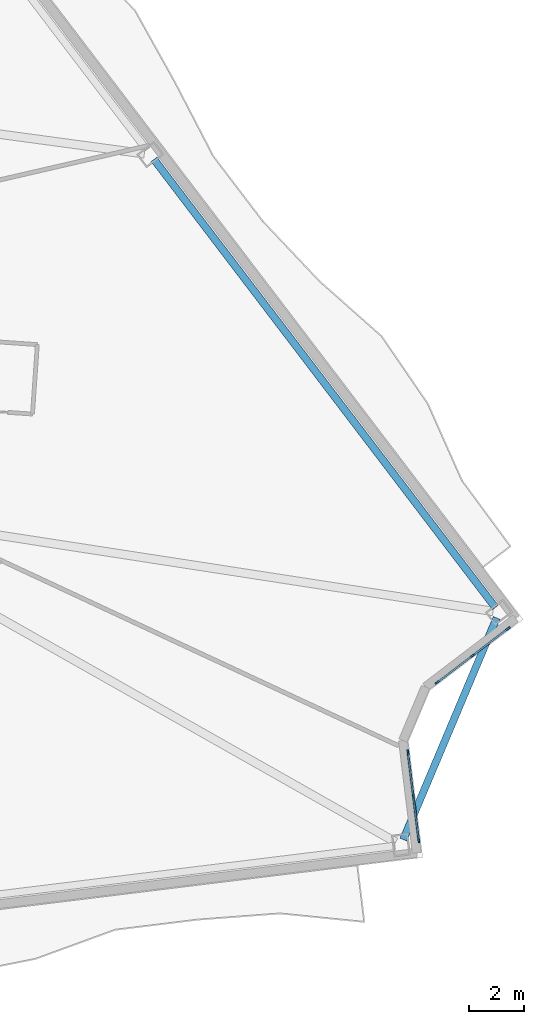
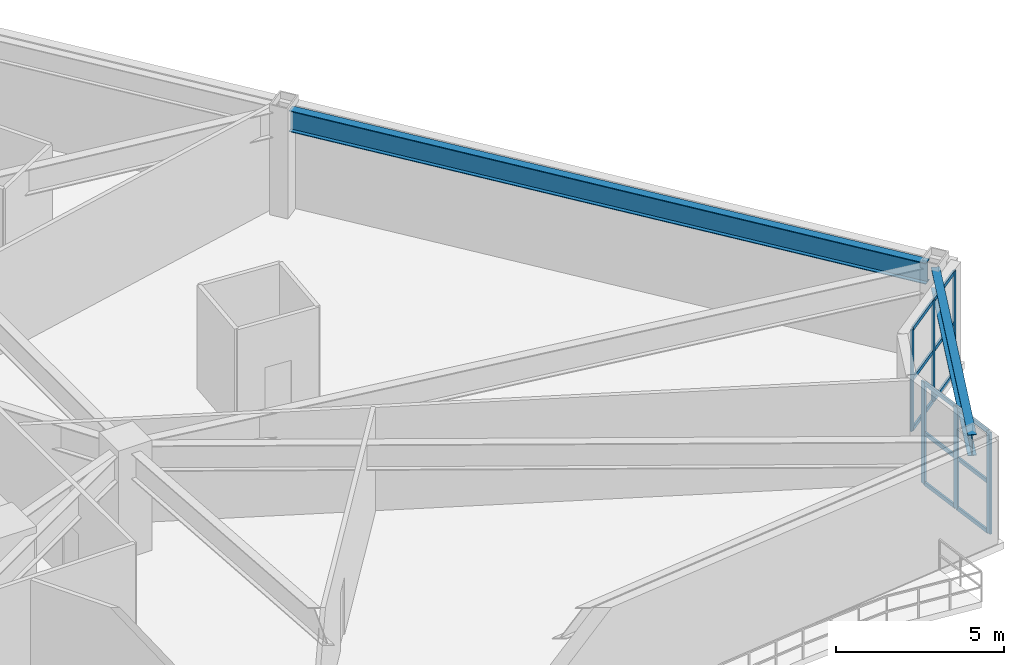
# One storey, part 4 of 17: 18 members, 2 beams, 2 elements without a shape of their own.
"""IFC4 building model written with IfcOpenShell, lengths in metres."""

from ifc_helpers import new_model, si_unit, direction, frame, origin, origin_2d, place, context, subcontext, project, spatial, rectangle, i_section, extrude, material, layer, layer_set, material_profile, profile_set, type_object, element, aggregate, save


model = new_model("IFC4")

# Units and contexts
model_context = context("Model", 3, precision=1e-05, world=origin(), true_north=direction((0.0, 1.0)))
body_context = subcontext(model_context, "Body", "Model", "MODEL_VIEW")
ifc_project = project(units=[si_unit("LENGTHUNIT", "METRE"), si_unit("AREAUNIT", "SQUARE_METRE"), si_unit("VOLUMEUNIT", "CUBIC_METRE"), si_unit("PLANEANGLEUNIT", "RADIAN"), si_unit("MASSUNIT", "GRAM", prefix="KILO")], contexts=[model_context])

# Site, building, storey
site_placement = place(None, origin())
site = spatial("IfcSite", under=ifc_project, at=site_placement, CompositionType="ELEMENT")
building_placement = place(site_placement, origin())
building = spatial("IfcBuilding", under=site, at=building_placement, Name="Apsidion Concourse Tower", CompositionType="ELEMENT")
storey_placement = place(building_placement, frame((0.0, 0.0, 75.0)))
storey = spatial("IfcBuildingStorey", under=building, at=storey_placement, Name="L16", CompositionType="ELEMENT", Elevation=75.0)

# Beams
ifc_material_1 = material(Name="Structural steel ASTM A992 Grade 50", Category="steel")
ifc_material_profile_1 = material_profile(ifc_material_1, i_section(OverallWidth=0.26806640625, OverallDepth=0.77001953125, WebThickness=0.015625, FlangeThickness=0.025390625, at=origin_2d()), Name="W30X132")
ifc_profile_set_1 = profile_set([ifc_material_profile_1], Name="Structural steel ASTM A992 Grade 50")
beam_type = type_object("IfcBeamType", Name="BM-SP-W30", PredefinedType="SPANDREL", material=ifc_profile_set_1)
beam_1_placement = place(storey_placement, frame((34.599609375, -19.4765625, 3.364990234375), z_axis=(0.388335552383, 0.921518040385, 0.0), x_axis=(-0.921518040385, 0.388335552383, 0.0)))
element("IfcBeam", 1, at=beam_1_placement, inside=storey, type_object=beam_type, Name="L16 Perimeter Spandrel Girder SP-08", PredefinedType="SPANDREL", context=body_context, shape_type="SweptSolid", body=[
    extrude(i_section(OverallWidth=0.26806640625, OverallDepth=0.77001953125, WebThickness=0.015625, FlangeThickness=0.025390625, at=origin_2d()), origin(), (0.0, 0.0, 1.0), 8.7763671875),
])
beam_2_placement = place(storey_placement, frame((37.959716796875, -11.01123046875, 3.364990234375), z_axis=(-0.605965911945, 0.795490611862, 0.0), x_axis=(-0.795490611862, -0.605965911945, 0.0)))
element("IfcBeam", 2, at=beam_2_placement, inside=storey, type_object=beam_type, Name="L16 Perimeter Spandrel Girder SP-09", PredefinedType="SPANDREL", context=body_context, shape_type="SweptSolid", body=[
    extrude(i_section(OverallWidth=0.26806640625, OverallDepth=0.77001953125, WebThickness=0.015625, FlangeThickness=0.025390625, at=origin_2d()), origin(), (0.0, 0.0, 1.0), 20.55419921875),
])

# Curtain wall, members
ifc_material_2 = material(Name="Insulated laminated low-E glass", Category="glass")
ifc_layer = layer(ifc_material_2, 0.219970703125)
ifc_layer_set = layer_set([ifc_layer], Name="Insulated laminated low-E glass")
curtain_wall_type = type_object("IfcCurtainWallType", Name="CW-SYS-04", PredefinedType="NOTDEFINED", material=ifc_layer_set)
curtain_wall_1_placement = place(storey_placement, origin())
curtain_wall_1 = element("IfcCurtainWall", 3, at=curtain_wall_1_placement, inside=storey, type_object=curtain_wall_type, Name="L16 Corner Lounge Box Curtain Wall 2", PredefinedType="NOTDEFINED")
ifc_material_3 = material(Name="Anodised aluminium EN AW-6063 T6", Category="aluminium")
ifc_material_profile_2 = material_profile(ifc_material_3, rectangle(XDim=0.06494140625, YDim=0.179931640625, at=origin_2d()), Name="ALU MULLION 65x180")
ifc_profile_set_2 = profile_set([ifc_material_profile_2], Name="Anodised aluminium EN AW-6063 T6")
member_type_1 = type_object("IfcMemberType", Name="CWM-65X180", PredefinedType="MULLION", material=ifc_profile_set_2)
member_1_placement = place(storey_placement, frame((38.420654296875, -11.780029296875, 0.0), z_axis=(0.0, 0.0, 1.0), x_axis=(0.605879897035, -0.795556126473, 0.0)))
member_1 = element("IfcMember", 4, at=member_1_placement, type_object=member_type_1, Name="CW-04 mullion 1", PredefinedType="MULLION", context=body_context, shape_type="SweptSolid", body=[
    extrude(rectangle(XDim=0.06494140625, YDim=0.179931640625, at=origin_2d()), origin(), (0.0, 0.0, 1.0), 3.699951171875),
])
member_2_placement = place(storey_placement, frame((37.133056640625, -12.7607421875, 0.0), z_axis=(0.0, 0.0, 1.0), x_axis=(0.605879897035, -0.795556126473, 0.0)))
member_2 = element("IfcMember", 5, at=member_2_placement, type_object=member_type_1, Name="CW-04 mullion 2", PredefinedType="MULLION", context=body_context, shape_type="SweptSolid", body=[
    extrude(rectangle(XDim=0.06494140625, YDim=0.179931640625, at=origin_2d()), origin(), (0.0, 0.0, 1.0), 3.699951171875),
])
member_3_placement = place(storey_placement, frame((35.84521484375, -13.741455078125, 0.0), z_axis=(0.0, 0.0, 1.0), x_axis=(0.605879897035, -0.795556126473, 0.0)))
member_3 = element("IfcMember", 6, at=member_3_placement, type_object=member_type_1, Name="CW-04 mullion 3", PredefinedType="MULLION", context=body_context, shape_type="SweptSolid", body=[
    extrude(rectangle(XDim=0.06494140625, YDim=0.179931640625, at=origin_2d()), origin(), (0.0, 0.0, 1.0), 3.699951171875),
])

curtain_wall_2_placement = place(storey_placement, origin())
curtain_wall_2 = element("IfcCurtainWall", 7, at=curtain_wall_2_placement, inside=storey, type_object=curtain_wall_type, Name="L16 Corner Lounge Box Curtain Wall 4", PredefinedType="NOTDEFINED")
member_4_placement = place(storey_placement, frame((34.77099609375, -16.289794921875, 0.0), z_axis=(0.0, 0.0, 1.0), x_axis=(0.992545254703, 0.121876648162, 0.0)))
member_4 = element("IfcMember", 8, at=member_4_placement, type_object=member_type_1, Name="CW-04 mullion 1", PredefinedType="MULLION", context=body_context, shape_type="SweptSolid", body=[
    extrude(rectangle(XDim=0.06494140625, YDim=0.179931640625, at=origin_2d()), origin(), (0.0, 0.0, 1.0), 3.699951171875),
])
member_5_placement = place(storey_placement, frame((34.96826171875, -17.896484375, 0.0), z_axis=(0.0, 0.0, 1.0), x_axis=(0.992545254703, 0.121876648162, 0.0)))
member_5 = element("IfcMember", 9, at=member_5_placement, type_object=member_type_1, Name="CW-04 mullion 2", PredefinedType="MULLION", context=body_context, shape_type="SweptSolid", body=[
    extrude(rectangle(XDim=0.06494140625, YDim=0.179931640625, at=origin_2d()), origin(), (0.0, 0.0, 1.0), 3.699951171875),
])
member_6_placement = place(storey_placement, frame((35.16552734375, -19.503173828125, 0.0), z_axis=(0.0, 0.0, 1.0), x_axis=(0.992545254703, 0.121876648162, 0.0)))
member_6 = element("IfcMember", 10, at=member_6_placement, type_object=member_type_1, Name="CW-04 mullion 3", PredefinedType="MULLION", context=body_context, shape_type="SweptSolid", body=[
    extrude(rectangle(XDim=0.06494140625, YDim=0.179931640625, at=origin_2d()), origin(), (0.0, 0.0, 1.0), 3.699951171875),
])

# Member
ifc_material_profile_3 = material_profile(ifc_material_3, rectangle(XDim=0.06494140625, YDim=0.139892578125, at=origin_2d()), Name="ALU TRANSOM 65x140")
ifc_profile_set_3 = profile_set([ifc_material_profile_3], Name="Anodised aluminium EN AW-6063 T6")
member_type_2 = type_object("IfcMemberType", Name="CWT-65X140", PredefinedType="USERDEFINED", material=ifc_profile_set_3)
member_7_placement = place(storey_placement, frame((38.394775390625, -11.799560546875, 0.032470703125), z_axis=(-0.795547129353, -0.605891710604, 0.0), x_axis=(0.605891710604, -0.795547129353, 0.0)))
member_7 = element("IfcMember", 11, at=member_7_placement, type_object=member_type_2, Name="CW-04 transom 1.1", ObjectType="TRANSOM", PredefinedType="USERDEFINED", context=body_context, shape_type="SweptSolid", body=[
    extrude(rectangle(XDim=0.06494140625, YDim=0.139892578125, at=origin_2d()), origin(), (0.0, 0.0, 1.0), 1.5537109375),
])

member_8_placement = place(storey_placement, frame((38.394775390625, -11.799560546875, 1.85009765625), z_axis=(-0.795547129353, -0.605891710604, 0.0), x_axis=(0.605891710604, -0.795547129353, 0.0)))
member_8 = element("IfcMember", 12, at=member_8_placement, type_object=member_type_2, Name="CW-04 transom 1.2", ObjectType="TRANSOM", PredefinedType="USERDEFINED", context=body_context, shape_type="SweptSolid", body=[
    extrude(rectangle(XDim=0.06494140625, YDim=0.139892578125, at=origin_2d()), origin(), (0.0, 0.0, 1.0), 1.5537109375),
])

member_9_placement = place(storey_placement, frame((38.394775390625, -11.799560546875, 3.66748046875), z_axis=(-0.795547129353, -0.605891710604, 0.0), x_axis=(0.605891710604, -0.795547129353, 0.0)))
member_9 = element("IfcMember", 13, at=member_9_placement, type_object=member_type_2, Name="CW-04 transom 1.3", ObjectType="TRANSOM", PredefinedType="USERDEFINED", context=body_context, shape_type="SweptSolid", body=[
    extrude(rectangle(XDim=0.06494140625, YDim=0.139892578125, at=origin_2d()), origin(), (0.0, 0.0, 1.0), 1.5537109375),
])

member_10_placement = place(storey_placement, frame((37.107177734375, -12.780517578125, 0.032470703125), z_axis=(-0.795547129353, -0.605891710604, 0.0), x_axis=(0.605891710604, -0.795547129353, 0.0)))
member_10 = element("IfcMember", 14, at=member_10_placement, type_object=member_type_2, Name="CW-04 transom 2.1", ObjectType="TRANSOM", PredefinedType="USERDEFINED", context=body_context, shape_type="SweptSolid", body=[
    extrude(rectangle(XDim=0.06494140625, YDim=0.139892578125, at=origin_2d()), origin(), (0.0, 0.0, 1.0), 1.5537109375),
])

member_11_placement = place(storey_placement, frame((37.107177734375, -12.780517578125, 1.85009765625), z_axis=(-0.795547129353, -0.605891710604, 0.0), x_axis=(0.605891710604, -0.795547129353, 0.0)))
member_11 = element("IfcMember", 15, at=member_11_placement, type_object=member_type_2, Name="CW-04 transom 2.2", ObjectType="TRANSOM", PredefinedType="USERDEFINED", context=body_context, shape_type="SweptSolid", body=[
    extrude(rectangle(XDim=0.06494140625, YDim=0.139892578125, at=origin_2d()), origin(), (0.0, 0.0, 1.0), 1.5537109375),
])

member_12_placement = place(storey_placement, frame((37.107177734375, -12.780517578125, 3.66748046875), z_axis=(-0.795547129353, -0.605891710604, 0.0), x_axis=(0.605891710604, -0.795547129353, 0.0)))
member_12 = element("IfcMember", 16, at=member_12_placement, type_object=member_type_2, Name="CW-04 transom 2.3", ObjectType="TRANSOM", PredefinedType="USERDEFINED", context=body_context, shape_type="SweptSolid", body=[
    extrude(rectangle(XDim=0.06494140625, YDim=0.139892578125, at=origin_2d()), origin(), (0.0, 0.0, 1.0), 1.5537109375),
])

aggregate(curtain_wall_1, [member_1, member_2, member_3, member_7, member_8, member_9, member_10, member_11, member_12])

member_13_placement = place(storey_placement, frame((34.77490234375, -16.322021484375, 0.032470703125), z_axis=(0.121926603855, -0.992539119266, 0.0), x_axis=(0.992539119266, 0.121926603855, 0.0)))
member_13 = element("IfcMember", 17, at=member_13_placement, type_object=member_type_2, Name="CW-04 transom 1.1", ObjectType="TRANSOM", PredefinedType="USERDEFINED", context=body_context, shape_type="SweptSolid", body=[
    extrude(rectangle(XDim=0.06494140625, YDim=0.139892578125, at=origin_2d()), origin(), (0.0, 0.0, 1.0), 1.5537109375),
])

member_14_placement = place(storey_placement, frame((34.77490234375, -16.322021484375, 1.85009765625), z_axis=(0.121926603855, -0.992539119266, 0.0), x_axis=(0.992539119266, 0.121926603855, 0.0)))
member_14 = element("IfcMember", 18, at=member_14_placement, type_object=member_type_2, Name="CW-04 transom 1.2", ObjectType="TRANSOM", PredefinedType="USERDEFINED", context=body_context, shape_type="SweptSolid", body=[
    extrude(rectangle(XDim=0.06494140625, YDim=0.139892578125, at=origin_2d()), origin(), (0.0, 0.0, 1.0), 1.5537109375),
])

member_15_placement = place(storey_placement, frame((34.77490234375, -16.322021484375, 3.66748046875), z_axis=(0.121926603855, -0.992539119266, 0.0), x_axis=(0.992539119266, 0.121926603855, 0.0)))
member_15 = element("IfcMember", 19, at=member_15_placement, type_object=member_type_2, Name="CW-04 transom 1.3", ObjectType="TRANSOM", PredefinedType="USERDEFINED", context=body_context, shape_type="SweptSolid", body=[
    extrude(rectangle(XDim=0.06494140625, YDim=0.139892578125, at=origin_2d()), origin(), (0.0, 0.0, 1.0), 1.5537109375),
])

member_16_placement = place(storey_placement, frame((34.972412109375, -17.9287109375, 0.032470703125), z_axis=(0.121771813286, -0.99255812197, 0.0), x_axis=(0.99255812197, 0.121771813286, 0.0)))
member_16 = element("IfcMember", 20, at=member_16_placement, type_object=member_type_2, Name="CW-04 transom 2.1", ObjectType="TRANSOM", PredefinedType="USERDEFINED", context=body_context, shape_type="SweptSolid", body=[
    extrude(rectangle(XDim=0.06494140625, YDim=0.139892578125, at=origin_2d()), origin(), (0.0, 0.0, 1.0), 1.5537109375),
])

member_17_placement = place(storey_placement, frame((34.972412109375, -17.9287109375, 1.85009765625), z_axis=(0.121771813286, -0.99255812197, 0.0), x_axis=(0.99255812197, 0.121771813286, 0.0)))
member_17 = element("IfcMember", 21, at=member_17_placement, type_object=member_type_2, Name="CW-04 transom 2.2", ObjectType="TRANSOM", PredefinedType="USERDEFINED", context=body_context, shape_type="SweptSolid", body=[
    extrude(rectangle(XDim=0.06494140625, YDim=0.139892578125, at=origin_2d()), origin(), (0.0, 0.0, 1.0), 1.5537109375),
])

member_18_placement = place(storey_placement, frame((34.972412109375, -17.9287109375, 3.66748046875), z_axis=(0.121771813286, -0.99255812197, 0.0), x_axis=(0.99255812197, 0.121771813286, 0.0)))
member_18 = element("IfcMember", 22, at=member_18_placement, type_object=member_type_2, Name="CW-04 transom 2.3", ObjectType="TRANSOM", PredefinedType="USERDEFINED", context=body_context, shape_type="SweptSolid", body=[
    extrude(rectangle(XDim=0.06494140625, YDim=0.139892578125, at=origin_2d()), origin(), (0.0, 0.0, 1.0), 1.5537109375),
])

aggregate(curtain_wall_2, [member_4, member_5, member_6, member_13, member_14, member_15, member_16, member_17, member_18])

save(model, "model.ifc")
